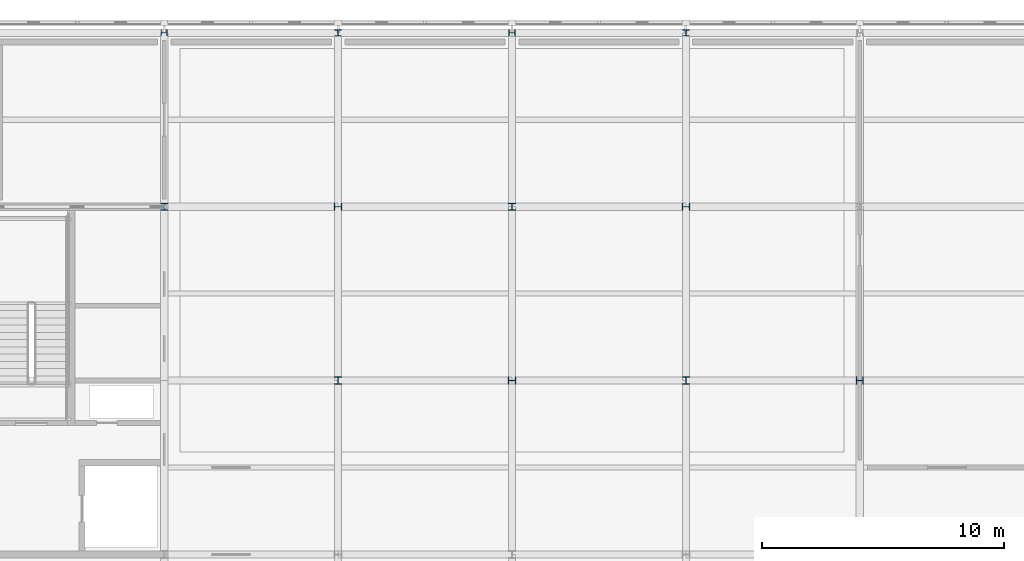
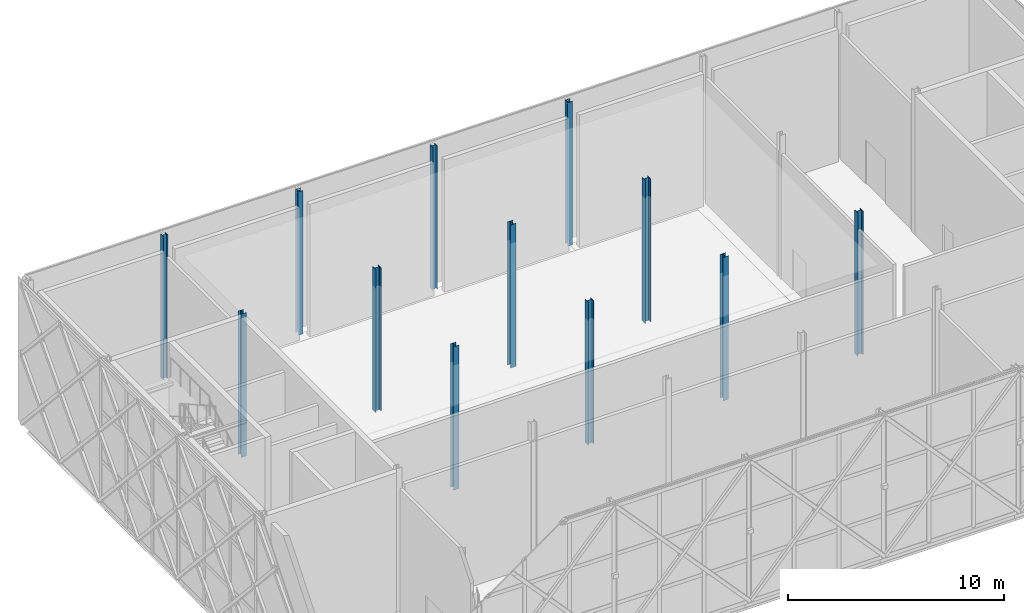
# One storey, part 6 of 76: 12 columns.
"""IFC4 building model written with IfcOpenShell, lengths in metres."""

from ifc_helpers import new_model, si_unit, direction, frame, origin, origin_2d, place, context, subcontext, project, spatial, i_section, extrude, material, material_profile, profile_set, type_object, element, save


model = new_model("IFC4")

# Units and contexts
model_context = context("Model", 3, precision=1e-05, world=origin(), true_north=direction((0.0, 1.0)))
body_context = subcontext(model_context, "Body", "Model", "MODEL_VIEW")
ifc_project = project(units=[si_unit("LENGTHUNIT", "METRE"), si_unit("AREAUNIT", "SQUARE_METRE"), si_unit("VOLUMEUNIT", "CUBIC_METRE"), si_unit("PLANEANGLEUNIT", "RADIAN"), si_unit("MASSUNIT", "GRAM", prefix="KILO")], contexts=[model_context])

# Site, building, storey
site_placement = place(None, origin())
site = spatial("IfcSite", under=ifc_project, at=site_placement, CompositionType="ELEMENT")
building_placement = place(site_placement, origin())
building = spatial("IfcBuilding", under=site, at=building_placement, Name="Zlatovets Crest Museum", CompositionType="ELEMENT")
storey_placement = place(building_placement, frame((0.0, 0.0, 17.10009765625)))
storey = spatial("IfcBuildingStorey", under=building, at=storey_placement, Name="L04", CompositionType="ELEMENT", Elevation=17.10009765625)

# Columns
ifc_material = material(Name="Structural steel S355J2", Category="steel")
ifc_material_profile_1 = material_profile(ifc_material, i_section(OverallWidth=0.300048828125, OverallDepth=0.300048828125, WebThickness=0.010986328125, FlangeThickness=0.01904296875, FilletRadius=0.027099609375, at=origin_2d()), Name="HEB 300")
ifc_profile_set_1 = profile_set([ifc_material_profile_1], Name="Structural steel S355J2")
column_type_1 = type_object("IfcColumnType", Name="Col_C-09", PredefinedType="COLUMN", material=ifc_profile_set_1)
for number, where, z_axis, x_axis, name in (
    (1, (64.800048828125, 108.0, 0.0), (0.0, 0.0, 1.0), (1.0, 0.0, 0.0), "V1 L04 Column (64.8, 108.0)"),
    (2, (72.0, 100.800048828125, 0.0), (0.0, 0.0, 1.0), (1.0, 0.0, 0.0), "V1 L04 Column (72.0, 100.8)"),
    (3, (72.0, 108.0, 0.0), (0.0, 0.0, 1.0), (0.0, 1.0, 0.0), "V1 L04 Column (72.0, 108.0)"),
    (4, (79.199951171875, 100.800048828125, 0.0), (0.0, 0.0, 1.0), (0.0, 1.0, 0.0), "V1 L04 Column (79.2, 100.8)"),
    (5, (79.199951171875, 108.0, 0.0), (0.0, 0.0, 1.0), (1.0, 0.0, 0.0), "V1 L04 Column (79.2, 108.0)"),
    (6, (86.39990234375, 100.800048828125, 0.0), (0.0, 0.0, 1.0), (1.0, 0.0, 0.0), "V1 L04 Column (86.4, 100.8)"),
    (7, (86.39990234375, 108.0, 0.0), (0.0, 0.0, 1.0), (0.0, 1.0, 0.0), "V1 L04 Column (86.4, 108.0)"),
    (8, (93.60009765625, 100.800048828125, 0.0), (0.0, 0.0, 1.0), (0.0, 1.0, 0.0), "V1 L04 Column (93.6, 100.8)"),
):
    element("IfcColumn", number, at=place(storey_placement, frame(where, z_axis=z_axis, x_axis=x_axis)), inside=storey, type_object=column_type_1, Name=name, PredefinedType="COLUMN", context=body_context, shape_type="SweptSolid", body=[
        extrude(i_section(OverallWidth=0.300048828125, OverallDepth=0.300048828125, WebThickness=0.010986328125, FlangeThickness=0.01904296875, FilletRadius=0.027099609375, at=origin_2d()), origin(), (0.0, 0.0, 1.0), 8.099853515625),
    ])
ifc_material_profile_2 = material_profile(ifc_material, i_section(OverallWidth=0.260009765625, OverallDepth=0.260009765625, WebThickness=0.010009765625, FlangeThickness=0.017578125, FilletRadius=0.02392578125, at=origin_2d()), Name="HEB 260")
ifc_profile_set_2 = profile_set([ifc_material_profile_2], Name="Structural steel S355J2")
column_type_2 = type_object("IfcColumnType", Name="Col_C-10", PredefinedType="COLUMN", material=ifc_profile_set_2)
for number, where, z_axis, x_axis, name in (
    (9, (64.800048828125, 115.199951171875, 0.0), (0.0, 0.0, 1.0), (0.0, 1.0, 0.0), "V1 L04 Column (64.8, 115.2)"),
    (10, (72.0, 115.199951171875, 0.0), (0.0, 0.0, 1.0), (1.0, 0.0, 0.0), "V1 L04 Column (72.0, 115.2)"),
    (11, (79.199951171875, 115.199951171875, 0.0), (0.0, 0.0, 1.0), (0.0, 1.0, 0.0), "V1 L04 Column (79.2, 115.2)"),
    (12, (86.39990234375, 115.199951171875, 0.0), (0.0, 0.0, 1.0), (1.0, 0.0, 0.0), "V1 L04 Column (86.4, 115.2)"),
):
    element("IfcColumn", number, at=place(storey_placement, frame(where, z_axis=z_axis, x_axis=x_axis)), inside=storey, type_object=column_type_2, Name=name, PredefinedType="COLUMN", context=body_context, shape_type="SweptSolid", body=[
        extrude(i_section(OverallWidth=0.260009765625, OverallDepth=0.260009765625, WebThickness=0.010009765625, FlangeThickness=0.017578125, FilletRadius=0.02392578125, at=origin_2d()), origin(), (0.0, 0.0, 1.0), 8.099853515625),
    ])

save(model, "model.ifc")
